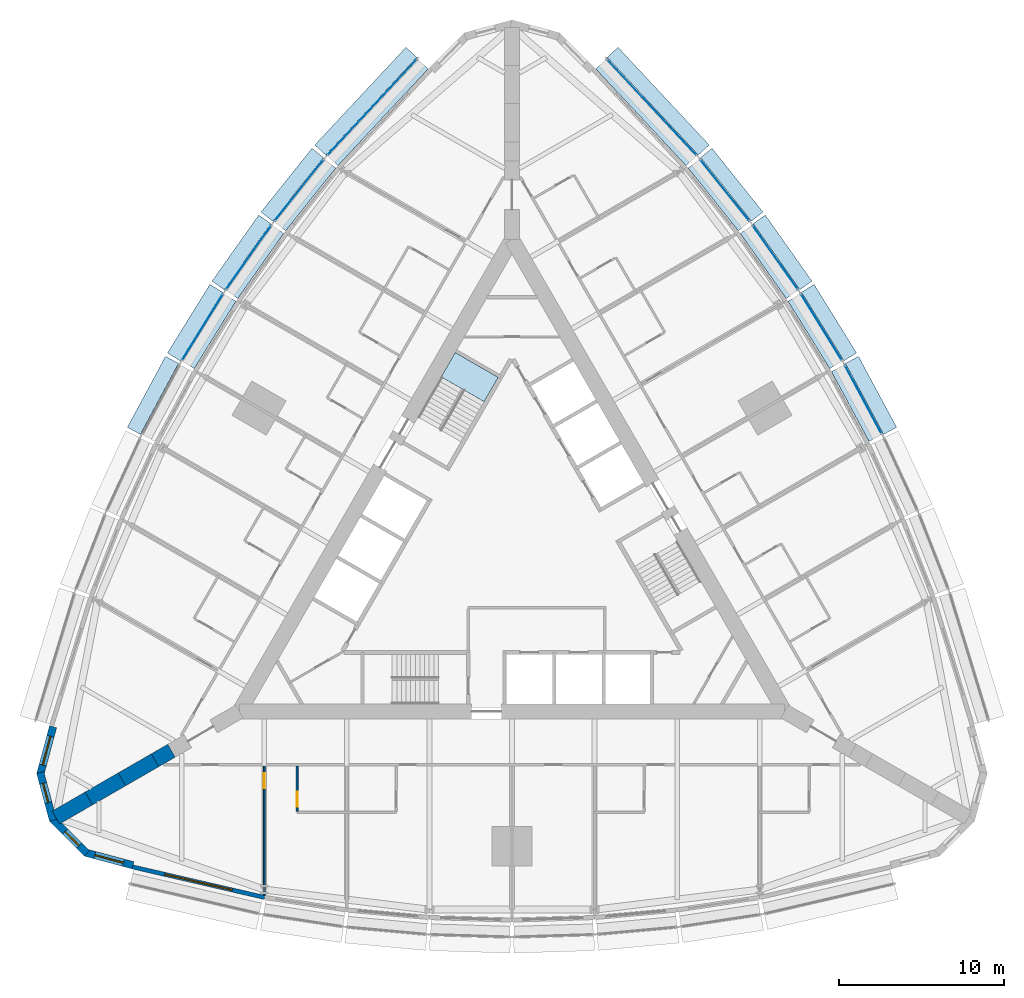
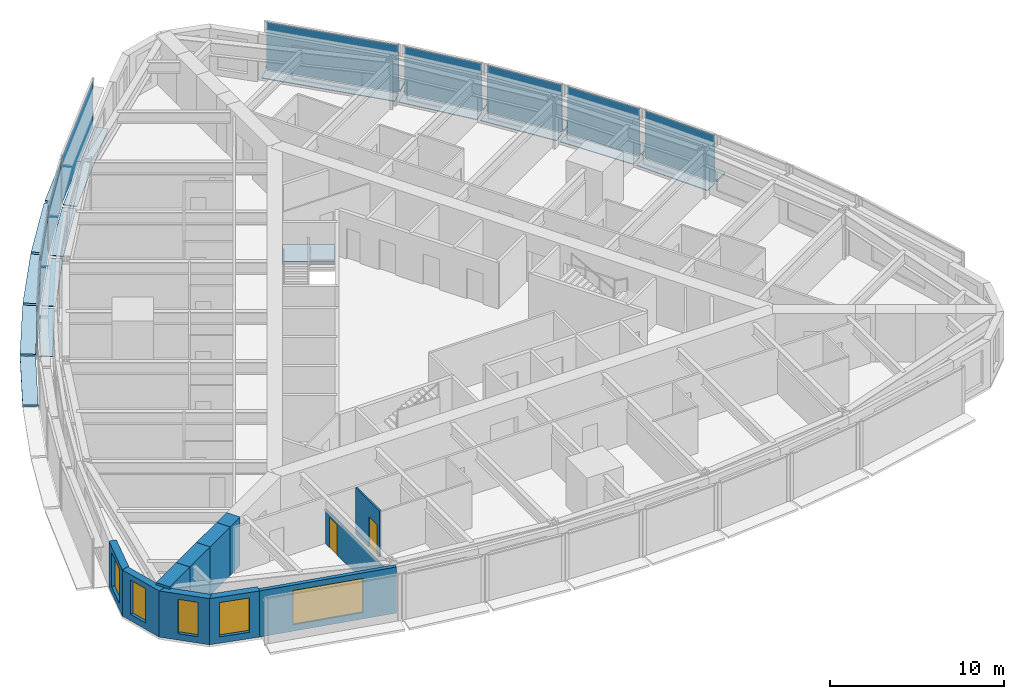
# One storey, part 7 of 14: 28 plates, 11 walls, 5 windows, 2 doors, 1 slab, 7 openings, 10 elements without a shape of their own.
"""IFC4 building model written with IfcOpenShell, lengths in metres."""

from ifc_helpers import new_model, si_unit, direction, frame, frame_2d, origin, origin_2d, place, context, subcontext, project, spatial, polyline, rectangle, outline, extrude, material, layer, layer_set, type_object, element, fill, aggregate, save


model = new_model("IFC4")

# Units and contexts
model_context = context("Model", 3, precision=1e-05, world=origin(), true_north=direction((0.0, 1.0)))
body_context = subcontext(model_context, "Body", "Model", "MODEL_VIEW")
ifc_project = project(units=[si_unit("LENGTHUNIT", "METRE"), si_unit("AREAUNIT", "SQUARE_METRE"), si_unit("VOLUMEUNIT", "CUBIC_METRE"), si_unit("PLANEANGLEUNIT", "RADIAN"), si_unit("MASSUNIT", "GRAM", prefix="KILO")], contexts=[model_context])

# Site, building, storey
site_placement = place(None, origin())
site = spatial("IfcSite", under=ifc_project, at=site_placement, CompositionType="ELEMENT")
building_placement = place(site_placement, origin())
building = spatial("IfcBuilding", under=site, at=building_placement, Name="Trikona Tower", CompositionType="ELEMENT")
storey_placement = place(building_placement, frame((0.0, 0.0, 55.699951171875)))
storey = spatial("IfcBuildingStorey", under=building, at=storey_placement, Name="L13", CompositionType="ELEMENT", Elevation=55.699951171875)

# Plates
ifc_material_1 = material(Name="Aluminium bar grating", Category="aluminium")
ifc_layer_1 = layer(ifc_material_1, 0.050048828125)
ifc_layer_set_1 = layer_set([ifc_layer_1], Name="Cavity catwalk grating")
plate_type_1 = type_object("IfcPlateType", Name="Cavity catwalk grating", PredefinedType="USERDEFINED", material=ifc_layer_set_1)
for number, where, z_axis, x_axis, name in (
    (1, (20.833740234375, 9.127197265625, -0.0498046875), (0.0, 0.0, 1.0), (-0.473422672721, 0.880835383572, 0.0), "Cavity catwalk L13-15"),
    (2, (18.3212890625, 13.47900390625, -0.0498046875), (0.0, 0.0, 1.0), (-0.526118935114, 0.85041099835, 0.0), "Cavity catwalk L13-16"),
):
    element("IfcPlate", number, at=place(storey_placement, frame(where, z_axis=z_axis, x_axis=x_axis)), inside=storey, type_object=plate_type_1, Name=name, ObjectType="CATWALK GRATING", PredefinedType="USERDEFINED", context=body_context, shape_type="SweptSolid", body=[
        extrude(rectangle(XDim=4.80224609375, YDim=0.820068359375, at=origin_2d()), origin(), (0.0, 0.0, 1.0), 0.050048828125),
    ])
plate_1_placement = place(storey_placement, frame((15.544189453125, 17.677734375, -0.0498046875), z_axis=(0.0, 0.0, 1.0), x_axis=(-0.576661909499, 0.816982889743, 0.0)))
element("IfcPlate", 3, at=plate_1_placement, inside=storey, type_object=plate_type_1, Name="Cavity catwalk L13-17", ObjectType="CATWALK GRATING", PredefinedType="USERDEFINED", context=body_context, shape_type="SweptSolid", body=[
    extrude(rectangle(XDim=4.82080078125, YDim=0.820068359375, at=origin_2d()), origin(), (0.0, 0.0, 1.0), 0.050048828125),
])
plate_2_placement = place(storey_placement, frame((12.502197265625, 21.72314453125, -0.0498046875), z_axis=(0.0, 0.0, 1.0), x_axis=(-0.624603618277, 0.780941944087, 0.0)))
element("IfcPlate", 4, at=plate_2_placement, inside=storey, type_object=plate_type_1, Name="Cavity catwalk L13-18", ObjectType="CATWALK GRATING", PredefinedType="USERDEFINED", context=body_context, shape_type="SweptSolid", body=[
    extrude(rectangle(XDim=4.857666015625, YDim=0.820068359375, at=origin_2d()), origin(), (0.0, 0.0, 1.0), 0.050048828125),
])
for number, where, z_axis, x_axis, name in (
    (5, (8.10107421875, 26.72314453125, -0.0498046875), (0.0, 0.0, 1.0), (-0.682298269147, 0.731073916864, 0.0), "Cavity catwalk L13-19"),
    (6, (-8.10107421875, 26.72314453125, -0.0498046875), (0.0, 0.0, 1.0), (-0.682298269147, -0.731073916864, 0.0), "Cavity catwalk L13-24"),
):
    element("IfcPlate", number, at=place(storey_placement, frame(where, z_axis=z_axis, x_axis=x_axis)), inside=storey, type_object=plate_type_1, Name=name, ObjectType="CATWALK GRATING", PredefinedType="USERDEFINED", context=body_context, shape_type="SweptSolid", body=[
        extrude(rectangle(XDim=8.01123046875, YDim=0.820068359375, at=origin_2d()), origin(), (0.0, 0.0, 1.0), 0.050048828125),
    ])
plate_3_placement = place(storey_placement, frame((-12.502197265625, 21.72314453125, -0.0498046875), z_axis=(0.0, 0.0, 1.0), x_axis=(-0.624603618277, -0.780941944087, 0.0)))
element("IfcPlate", 7, at=plate_3_placement, inside=storey, type_object=plate_type_1, Name="Cavity catwalk L13-25", ObjectType="CATWALK GRATING", PredefinedType="USERDEFINED", context=body_context, shape_type="SweptSolid", body=[
    extrude(rectangle(XDim=4.857666015625, YDim=0.820068359375, at=origin_2d()), origin(), (0.0, 0.0, 1.0), 0.050048828125),
])
plate_4_placement = place(storey_placement, frame((-15.544189453125, 17.677734375, -0.0498046875), z_axis=(0.0, 0.0, 1.0), x_axis=(-0.576661909499, -0.816982889743, 0.0)))
element("IfcPlate", 8, at=plate_4_placement, inside=storey, type_object=plate_type_1, Name="Cavity catwalk L13-26", ObjectType="CATWALK GRATING", PredefinedType="USERDEFINED", context=body_context, shape_type="SweptSolid", body=[
    extrude(rectangle(XDim=4.82080078125, YDim=0.820068359375, at=origin_2d()), origin(), (0.0, 0.0, 1.0), 0.050048828125),
])
plate_5_placement = place(storey_placement, frame((-18.3212890625, 13.47900390625, -0.0498046875), z_axis=(0.0, 0.0, 1.0), x_axis=(-0.526118935114, -0.85041099835, 0.0)))
element("IfcPlate", 9, at=plate_5_placement, inside=storey, type_object=plate_type_1, Name="Cavity catwalk L13-27", ObjectType="CATWALK GRATING", PredefinedType="USERDEFINED", context=body_context, shape_type="SweptSolid", body=[
    extrude(rectangle(XDim=4.80224609375, YDim=0.820068359375, at=origin_2d()), origin(), (0.0, 0.0, 1.0), 0.050048828125),
])

# Curtain wall, plate
ifc_material_2 = material(Name="Aluminium curtain wall system", Category="aluminium")
curtain_wall_type = type_object("IfcCurtainWallType", Name="Curtain wall DS1", PredefinedType="NOTDEFINED", material=ifc_material_2)
curtain_wall_1_placement = place(storey_placement, origin())
curtain_wall_1 = element("IfcCurtainWall", 10, at=curtain_wall_1_placement, inside=storey, type_object=curtain_wall_type, Name="Curtain wall DS1 L13", PredefinedType="NOTDEFINED")
ifc_material_3 = material(Name="Laminated clear glass", Category="glass")
ifc_layer_2 = layer(ifc_material_3, 0.028076171875)
ifc_layer_set_2 = layer_set([ifc_layer_2], Name="Glass panel DS1")
plate_type_2 = type_object("IfcPlateType", Name="Glass panel DS1", PredefinedType="CURTAIN_PANEL", material=ifc_layer_set_2)
plate_6_placement = place(storey_placement, frame((21.265380859375, 9.359130859375, 0.0), z_axis=(0.0, 0.0, 1.0), x_axis=(-0.473408350896, 0.880843080975, 0.0)))
plate_6 = element("IfcPlate", 11, at=plate_6_placement, type_object=plate_type_2, Name="CW-DS1 panel 1.1", PredefinedType="CURTAIN_PANEL", context=body_context, shape_type="SweptSolid", body=[
    extrude(rectangle(XDim=4.72216796875, YDim=0.028076171875, at=origin_2d()), origin(), (0.0, 0.0, 1.0), 3.320068359375),
])
aggregate(curtain_wall_1, [plate_6])

curtain_wall_2_placement = place(storey_placement, origin())
curtain_wall_2 = element("IfcCurtainWall", 12, at=curtain_wall_2_placement, inside=storey, type_object=curtain_wall_type, Name="Curtain wall DS1 L13", PredefinedType="NOTDEFINED")
plate_7_placement = place(storey_placement, frame((18.738037109375, 13.73681640625, 0.0), z_axis=(0.0, 0.0, 1.0), x_axis=(-0.526119790842, 0.850410468941, 0.0)))
plate_7 = element("IfcPlate", 13, at=plate_7_placement, type_object=plate_type_2, Name="CW-DS1 panel 1.1", PredefinedType="CURTAIN_PANEL", context=body_context, shape_type="SweptSolid", body=[
    extrude(rectangle(XDim=4.722412109375, YDim=0.028076171875, at=origin_2d()), origin(), (0.0, 0.0, 1.0), 3.320068359375),
])
aggregate(curtain_wall_2, [plate_7])

curtain_wall_3_placement = place(storey_placement, origin())
curtain_wall_3 = element("IfcCurtainWall", 14, at=curtain_wall_3_placement, inside=storey, type_object=curtain_wall_type, Name="Curtain wall DS1 L13", PredefinedType="NOTDEFINED")
plate_8_placement = place(storey_placement, frame((15.9443359375, 17.960205078125, 0.0), z_axis=(0.0, 0.0, 1.0), x_axis=(-0.576658362928, 0.816985393055, 0.0)))
plate_8 = element("IfcPlate", 15, at=plate_8_placement, type_object=plate_type_2, Name="CW-DS1 panel 1.1", PredefinedType="CURTAIN_PANEL", context=body_context, shape_type="SweptSolid", body=[
    extrude(rectangle(XDim=4.74072265625, YDim=0.028076171875, at=origin_2d()), origin(), (0.0, 0.0, 1.0), 3.320068359375),
])
aggregate(curtain_wall_3, [plate_8])

curtain_wall_4_placement = place(storey_placement, origin())
curtain_wall_4 = element("IfcCurtainWall", 16, at=curtain_wall_4_placement, inside=storey, type_object=curtain_wall_type, Name="Curtain wall DS1 L13", PredefinedType="NOTDEFINED")
plate_9_placement = place(storey_placement, frame((12.884765625, 22.029296875, 0.0), z_axis=(0.0, 0.0, 1.0), x_axis=(-0.624608599951, 0.780937959679, 0.0)))
plate_9 = element("IfcPlate", 17, at=plate_9_placement, type_object=plate_type_2, Name="CW-DS1 panel 1.1", PredefinedType="CURTAIN_PANEL", context=body_context, shape_type="SweptSolid", body=[
    extrude(rectangle(XDim=4.777587890625, YDim=0.028076171875, at=origin_2d()), origin(), (0.0, 0.0, 1.0), 3.320068359375),
])
aggregate(curtain_wall_4, [plate_9])

curtain_wall_5_placement = place(storey_placement, origin())
curtain_wall_5 = element("IfcCurtainWall", 18, at=curtain_wall_5_placement, inside=storey, type_object=curtain_wall_type, Name="Curtain wall DS1 L13", PredefinedType="NOTDEFINED")
plate_10_placement = place(storey_placement, frame((8.459228515625, 27.057373046875, 0.0), z_axis=(0.0, 0.0, 1.0), x_axis=(-0.682295351967, 0.731076639405, 0.0)))
plate_10 = element("IfcPlate", 19, at=plate_10_placement, type_object=plate_type_2, Name="CW-DS1 panel 1.1", PredefinedType="CURTAIN_PANEL", context=body_context, shape_type="SweptSolid", body=[
    extrude(rectangle(XDim=7.93115234375, YDim=0.028076171875, at=origin_2d()), origin(), (0.0, 0.0, 1.0), 3.320068359375),
])
aggregate(curtain_wall_5, [plate_10])

curtain_wall_6_placement = place(storey_placement, origin())
curtain_wall_6 = element("IfcCurtainWall", 20, at=curtain_wall_6_placement, inside=storey, type_object=curtain_wall_type, Name="Curtain wall DS1 L13", PredefinedType="NOTDEFINED")
plate_11_placement = place(storey_placement, frame((-8.459228515625, 27.057373046875, 0.0), z_axis=(0.0, 0.0, 1.0), x_axis=(-0.682295351967, -0.731076639405, 0.0)))
plate_11 = element("IfcPlate", 21, at=plate_11_placement, type_object=plate_type_2, Name="CW-DS1 panel 1.1", PredefinedType="CURTAIN_PANEL", context=body_context, shape_type="SweptSolid", body=[
    extrude(rectangle(XDim=7.93115234375, YDim=0.028076171875, at=origin_2d()), origin(), (0.0, 0.0, 1.0), 3.320068359375),
])
aggregate(curtain_wall_6, [plate_11])

curtain_wall_7_placement = place(storey_placement, origin())
curtain_wall_7 = element("IfcCurtainWall", 22, at=curtain_wall_7_placement, inside=storey, type_object=curtain_wall_type, Name="Curtain wall DS1 L13", PredefinedType="NOTDEFINED")
plate_12_placement = place(storey_placement, frame((-12.884765625, 22.029296875, 0.0), z_axis=(0.0, 0.0, 1.0), x_axis=(-0.624608599951, -0.780937959679, 0.0)))
plate_12 = element("IfcPlate", 23, at=plate_12_placement, type_object=plate_type_2, Name="CW-DS1 panel 1.1", PredefinedType="CURTAIN_PANEL", context=body_context, shape_type="SweptSolid", body=[
    extrude(rectangle(XDim=4.777587890625, YDim=0.028076171875, at=origin_2d()), origin(), (0.0, 0.0, 1.0), 3.320068359375),
])
aggregate(curtain_wall_7, [plate_12])

curtain_wall_8_placement = place(storey_placement, origin())
curtain_wall_8 = element("IfcCurtainWall", 24, at=curtain_wall_8_placement, inside=storey, type_object=curtain_wall_type, Name="Curtain wall DS1 L13", PredefinedType="NOTDEFINED")
plate_13_placement = place(storey_placement, frame((-15.9443359375, 17.960205078125, 0.0), z_axis=(0.0, 0.0, 1.0), x_axis=(-0.576658362928, -0.816985393055, 0.0)))
plate_13 = element("IfcPlate", 25, at=plate_13_placement, type_object=plate_type_2, Name="CW-DS1 panel 1.1", PredefinedType="CURTAIN_PANEL", context=body_context, shape_type="SweptSolid", body=[
    extrude(rectangle(XDim=4.74072265625, YDim=0.028076171875, at=origin_2d()), origin(), (0.0, 0.0, 1.0), 3.320068359375),
])
aggregate(curtain_wall_8, [plate_13])

curtain_wall_9_placement = place(storey_placement, origin())
curtain_wall_9 = element("IfcCurtainWall", 26, at=curtain_wall_9_placement, inside=storey, type_object=curtain_wall_type, Name="Curtain wall DS1 L13", PredefinedType="NOTDEFINED")
plate_14_placement = place(storey_placement, frame((-18.738037109375, 13.73681640625, 0.0), z_axis=(0.0, 0.0, 1.0), x_axis=(-0.526119790842, -0.850410468941, 0.0)))
plate_14 = element("IfcPlate", 27, at=plate_14_placement, type_object=plate_type_2, Name="CW-DS1 panel 1.1", PredefinedType="CURTAIN_PANEL", context=body_context, shape_type="SweptSolid", body=[
    extrude(rectangle(XDim=4.722412109375, YDim=0.028076171875, at=origin_2d()), origin(), (0.0, 0.0, 1.0), 3.320068359375),
])
aggregate(curtain_wall_9, [plate_14])

# Plates
ifc_material_4 = material(Name="Aluminium plate fin, pale anodised, on stainless steel outriggers", Category="steel")
ifc_layer_3 = layer(ifc_material_4, 0.14990234375)
ifc_layer_set_3 = layer_set([ifc_layer_3], Name="Outer skin fin 900")
plate_type_3 = type_object("IfcPlateType", Name="Outer skin fin 900", PredefinedType="USERDEFINED", material=ifc_layer_set_3)
for number, where, z_axis, x_axis, name in (
    (28, (21.732421875, 9.610107421875, 0.0), (0.0, 0.0, 1.0), (-0.473422672721, 0.880835383572, 0.0), "Outer skin fin L13-15"),
    (29, (19.188720703125, 14.015625, 0.0), (0.0, 0.0, 1.0), (-0.526118935114, 0.85041099835, 0.0), "Outer skin fin L13-16"),
):
    element("IfcPlate", number, at=place(storey_placement, frame(where, z_axis=z_axis, x_axis=x_axis)), inside=storey, type_object=plate_type_3, Name=name, ObjectType="FIN", PredefinedType="USERDEFINED", context=body_context, shape_type="SweptSolid", body=[
        extrude(rectangle(XDim=4.88232421875, YDim=0.89990234375, at=origin_2d()), origin(), (0.0, 0.0, 1.0), 0.14990234375),
    ])
plate_15_placement = place(storey_placement, frame((16.37744140625, 18.265869140625, 0.0), z_axis=(0.0, 0.0, 1.0), x_axis=(-0.576661909499, 0.816982889743, 0.0)))
element("IfcPlate", 30, at=plate_15_placement, inside=storey, type_object=plate_type_3, Name="Outer skin fin L13-17", ObjectType="FIN", PredefinedType="USERDEFINED", context=body_context, shape_type="SweptSolid", body=[
    extrude(rectangle(XDim=4.90087890625, YDim=0.89990234375, at=origin_2d()), origin(), (0.0, 0.0, 1.0), 0.14990234375),
])
plate_16_placement = place(storey_placement, frame((13.298583984375, 22.360107421875, 0.0), z_axis=(0.0, 0.0, 1.0), x_axis=(-0.624603618277, 0.780941944087, 0.0)))
element("IfcPlate", 31, at=plate_16_placement, inside=storey, type_object=plate_type_3, Name="Outer skin fin L13-18", ObjectType="FIN", PredefinedType="USERDEFINED", context=body_context, shape_type="SweptSolid", body=[
    extrude(rectangle(XDim=4.9375, YDim=0.89990234375, at=origin_2d()), origin(), (0.0, 0.0, 1.0), 0.14990234375),
])
for number, where, z_axis, x_axis, name in (
    (32, (8.8466796875, 27.419189453125, 0.0), (0.0, 0.0, 1.0), (-0.682298269147, 0.731073916864, 0.0), "Outer skin fin L13-19"),
    (33, (-8.8466796875, 27.419189453125, 0.0), (0.0, 0.0, 1.0), (-0.682298269147, -0.731073916864, 0.0), "Outer skin fin L13-24"),
):
    element("IfcPlate", number, at=place(storey_placement, frame(where, z_axis=z_axis, x_axis=x_axis)), inside=storey, type_object=plate_type_3, Name=name, ObjectType="FIN", PredefinedType="USERDEFINED", context=body_context, shape_type="SweptSolid", body=[
        extrude(rectangle(XDim=8.09130859375, YDim=0.89990234375, at=origin_2d()), origin(), (0.0, 0.0, 1.0), 0.14990234375),
    ])
plate_17_placement = place(storey_placement, frame((-13.298583984375, 22.360107421875, 0.0), z_axis=(0.0, 0.0, 1.0), x_axis=(-0.624603618277, -0.780941944087, 0.0)))
element("IfcPlate", 34, at=plate_17_placement, inside=storey, type_object=plate_type_3, Name="Outer skin fin L13-25", ObjectType="FIN", PredefinedType="USERDEFINED", context=body_context, shape_type="SweptSolid", body=[
    extrude(rectangle(XDim=4.9375, YDim=0.89990234375, at=origin_2d()), origin(), (0.0, 0.0, 1.0), 0.14990234375),
])
plate_18_placement = place(storey_placement, frame((-16.37744140625, 18.265869140625, 0.0), z_axis=(0.0, 0.0, 1.0), x_axis=(-0.576661909499, -0.816982889743, 0.0)))
element("IfcPlate", 35, at=plate_18_placement, inside=storey, type_object=plate_type_3, Name="Outer skin fin L13-26", ObjectType="FIN", PredefinedType="USERDEFINED", context=body_context, shape_type="SweptSolid", body=[
    extrude(rectangle(XDim=4.90087890625, YDim=0.89990234375, at=origin_2d()), origin(), (0.0, 0.0, 1.0), 0.14990234375),
])
for number, where, z_axis, x_axis, name in (
    (36, (-19.188720703125, 14.015625, 0.0), (0.0, 0.0, 1.0), (-0.526118935114, -0.85041099835, 0.0), "Outer skin fin L13-27"),
    (37, (-21.732421875, 9.610107421875, 0.0), (0.0, 0.0, 1.0), (-0.473422672721, -0.880835383572, 0.0), "Outer skin fin L13-28"),
):
    element("IfcPlate", number, at=place(storey_placement, frame(where, z_axis=z_axis, x_axis=x_axis)), inside=storey, type_object=plate_type_3, Name=name, ObjectType="FIN", PredefinedType="USERDEFINED", context=body_context, shape_type="SweptSolid", body=[
        extrude(rectangle(XDim=4.88232421875, YDim=0.89990234375, at=origin_2d()), origin(), (0.0, 0.0, 1.0), 0.14990234375),
    ])

# Stair, slab
ifc_material_5 = material(Name="Concrete f'c 5000 psi", Category="concrete")
stair_type = type_object("IfcStairType", Name="Core stair", PredefinedType="HALF_TURN_STAIR", material=ifc_material_5)
stair_placement = place(storey_placement, origin())
stair = element("IfcStair", 38, at=stair_placement, inside=storey, type_object=stair_type, Name="Stair C L13", PredefinedType="HALF_TURN_STAIR")
ifc_material_6 = material(Name="Concrete f'c 5000 psi", Category="concrete")
ifc_layer_4 = layer(ifc_material_6, 0.199951171875)
ifc_layer_set_4 = layer_set([ifc_layer_4], Name="Stair landing 200")
slab_type = type_object("IfcSlabType", Name="Stair landing 200", PredefinedType="LANDING", material=ifc_layer_set_4)
slab_placement = place(storey_placement, frame((0.0, 0.0, 1.5)))
slab = element("IfcSlab", 39, at=slab_placement, type_object=slab_type, Name="ST-C landing 2", PredefinedType="LANDING", context=body_context, shape_type="SweptSolid", body=[
    extrude(outline(polyline([(-0.837158203125, 10.702392578125), (-1.688720703125, 9.2275390625), (-4.286865234375, 10.7275390625), (-3.435302734375, 12.202392578125), (-0.837158203125, 10.702392578125)])), origin(), (0.0, 0.0, 1.0), 0.199951171875),
])
aggregate(stair, [slab])

# Wall, opening, door
ifc_material_7 = material(Name="Metal stud and cement board", Category="gypsum")
ifc_layer_5 = layer(ifc_material_7, 0.1201171875)
ifc_layer_set_5 = layer_set([ifc_layer_5], Name="Bathroom wall 120")
wall_type_1 = type_object("IfcWallType", Name="Bathroom wall 120", PredefinedType="PLUMBINGWALL", material=ifc_layer_set_5)
wall_1_placement = place(storey_placement, frame((-13.0, -12.826416015625, 0.0), z_axis=(0.0, 0.0, 1.0), x_axis=(0.0, -1.0, 0.0)))
wall_1 = element("IfcWall", 40, at=wall_1_placement, inside=storey, type_object=wall_type_1, Name="Bathroom wall 1301.1", PredefinedType="PLUMBINGWALL", context=body_context, shape_type="SweptSolid", body=[
    extrude(rectangle(XDim=2.739990234375, YDim=0.1201171875, at=frame_2d((1.3701171875, 0.0))), origin(), (0.0, 0.0, 1.0), 3.235107421875),
])
opening_1_placement = place(wall_1_placement, frame((1.550048828125, 0.0, 0.0)))
opening_1 = element("IfcOpeningElement", 41, at=opening_1_placement, cuts=wall_1, Name="Opening D2", PredefinedType="OPENING", context=body_context, shape_type="SweptSolid", body=[
    extrude(rectangle(XDim=0.89990234375, YDim=2.1298828125, at=frame_2d((0.449951171875, 1.06494140625))), frame((0.0, 0.070068359375, 0.0), z_axis=(0.0, -1.0, 0.0), x_axis=(1.0, 0.0, 0.0)), (0.0, 0.0, 1.0), 0.14013671875),
])
ifc_material_8 = material(Name="Steel door frame with solid-core timber leaf", Category="steel")
door_type_1 = type_object("IfcDoorType", Name="Bathroom door 900x2130", OperationType="SLIDING_TO_LEFT", PredefinedType="DOOR", material=ifc_material_8)
door_1_placement = place(opening_1_placement, origin())
door_1 = element("IfcDoor", 42, at=door_1_placement, inside=storey, type_object=door_type_1, Name="Bathroom door 1301.1", OperationType="SLIDING_TO_LEFT", OverallHeight=2.1298828125, OverallWidth=0.89990234375, PredefinedType="DOOR", context=body_context, shape_type="SweptSolid", body=[
    extrude(rectangle(XDim=0.89990234375, YDim=2.1298828125, at=frame_2d((0.449951171875, 1.06494140625))), frame((0.0, 0.02490234375, 0.0), z_axis=(0.0, -1.0, 0.0), x_axis=(1.0, 0.0, 0.0)), (0.0, 0.0, 1.0), 0.050048828125),
])
fill(opening_1, door_1)

# Wall, opening, window
ifc_material_9 = material(Name="Brick-faced precast concrete", Category="masonry")
ifc_layer_6 = layer(ifc_material_9, 0.449951171875)
ifc_layer_set_6 = layer_set([ifc_layer_6], Name="Brick-faced corner wall 450")
wall_type_2 = type_object("IfcWallType", Name="Brick-faced corner wall 450", PredefinedType="SOLIDWALL", material=ifc_layer_set_6)
wall_2_placement = place(storey_placement, frame((-27.78271484375, -10.450439453125, 0.0), z_axis=(0.0, 0.0, 1.0), x_axis=(-0.258780998834, -0.965936019953, 0.0)))
wall_2 = element("IfcWall", 43, at=wall_2_placement, inside=storey, type_object=wall_type_2, Name="External wall L13-32", PredefinedType="SOLIDWALL", context=body_context, shape_type="SweptSolid", body=[
    extrude(rectangle(XDim=2.98876953125, YDim=0.449951171875, at=frame_2d((1.494384765625, 0.0))), origin(), (0.0, 0.0, 1.0), 3.235107421875),
])
opening_2_placement = place(wall_2_placement, frame((0.59423828125, 0.0, 0.449951171875)))
opening_2 = element("IfcOpeningElement", 44, at=opening_2_placement, cuts=wall_2, Name="Opening W1824", PredefinedType="OPENING", context=body_context, shape_type="SweptSolid", body=[
    extrude(rectangle(XDim=1.800048828125, YDim=2.39990234375, at=frame_2d((0.89990234375, 1.199951171875))), frame((0.0, 0.23486328125, 0.0), z_axis=(0.0, -1.0, 0.0), x_axis=(1.0, 0.0, 0.0)), (0.0, 0.0, 1.0), 0.469970703125),
])
ifc_material_10 = material(Name="Aluminium-framed double glazing", Category="aluminium")
window_type_1 = type_object("IfcWindowType", Name="Window 1800x2400", PartitioningType="SINGLE_PANEL", PredefinedType="WINDOW", material=ifc_material_10)
window_1_placement = place(opening_2_placement, origin())
window_1 = element("IfcWindow", 45, at=window_1_placement, inside=storey, type_object=window_type_1, Name="Window 1316", OverallHeight=2.39990234375, OverallWidth=1.800048828125, PartitioningType="SINGLE_PANEL", PredefinedType="WINDOW", context=body_context, shape_type="SweptSolid", body=[
    extrude(rectangle(XDim=1.800048828125, YDim=2.39990234375, at=frame_2d((0.89990234375, 1.199951171875))), frame((0.0, 0.030029296875, 0.0), z_axis=(0.0, -1.0, 0.0), x_axis=(1.0, 0.0, 0.0)), (0.0, 0.0, 1.0), 0.06005859375),
])
fill(opening_2, window_1)

wall_3_placement = place(storey_placement, frame((-28.55615234375, -13.220947265625, 0.0), z_axis=(0.0, 0.0, 1.0), x_axis=(0.258801419081, -0.965930548995, 0.0)))
wall_3 = element("IfcWall", 46, at=wall_3_placement, inside=storey, type_object=wall_type_2, Name="External wall L13-33", PredefinedType="SOLIDWALL", context=body_context, shape_type="SweptSolid", body=[
    extrude(outline(polyline([(2.988525390625, 0.22509765625), (2.928955078125, 0.22509765625), (2.437255859375, 0.09326171875), (2.402099609375, 0.22509765625), (0.0, 0.22509765625), (0.0, -0.22509765625), (2.988525390625, -0.22509765625), (2.988525390625, 0.22509765625)])), origin(), (0.0, 0.0, 1.0), 3.235107421875),
])
opening_3_placement = place(wall_3_placement, frame((0.676025390625, 0.0, 0.449951171875)))
opening_3 = element("IfcOpeningElement", 47, at=opening_3_placement, cuts=wall_3, Name="Opening W1224", PredefinedType="OPENING", context=body_context, shape_type="SweptSolid", body=[
    extrude(rectangle(XDim=1.199951171875, YDim=2.39990234375, at=frame_2d((0.60009765625, 1.199951171875))), frame((0.0, 0.23486328125, 0.0), z_axis=(0.0, -1.0, 0.0), x_axis=(1.0, 0.0, 0.0)), (0.0, 0.0, 1.0), 0.469970703125),
])
ifc_material_11 = material(Name="Aluminium-framed double glazing", Category="aluminium")
window_type_2 = type_object("IfcWindowType", Name="Window 1200x2400", PartitioningType="SINGLE_PANEL", PredefinedType="WINDOW", material=ifc_material_11)
window_2_placement = place(opening_3_placement, origin())
window_2 = element("IfcWindow", 48, at=window_2_placement, inside=storey, type_object=window_type_2, Name="Window 1316", OverallHeight=2.39990234375, OverallWidth=1.199951171875, PartitioningType="SINGLE_PANEL", PredefinedType="WINDOW", context=body_context, shape_type="SweptSolid", body=[
    extrude(rectangle(XDim=1.199951171875, YDim=2.39990234375, at=frame_2d((0.60009765625, 1.199951171875))), frame((0.0, 0.030029296875, 0.0), z_axis=(0.0, -1.0, 0.0), x_axis=(1.0, 0.0, 0.0)), (0.0, 0.0, 1.0), 0.06005859375),
])
fill(opening_3, window_2)

wall_4_placement = place(storey_placement, frame((-27.8408203125, -16.006591796875, 0.0), z_axis=(0.0, 0.0, 1.0), x_axis=(0.707025086683, -0.707188466253, 0.0)))
wall_4 = element("IfcWall", 49, at=wall_4_placement, inside=storey, type_object=wall_type_2, Name="External wall L13-34", PredefinedType="SOLIDWALL", context=body_context, shape_type="SweptSolid", body=[
    extrude(outline(polyline([(2.988525390625, 0.22509765625), (0.58642578125, 0.22509765625), (0.551025390625, 0.093017578125), (0.058837890625, 0.22509765625), (0.0, 0.22509765625), (0.0, -0.22509765625), (2.988525390625, -0.22509765625), (2.988525390625, 0.22509765625)])), origin(), (0.0, 0.0, 1.0), 3.235107421875),
])
opening_4_placement = place(wall_4_placement, frame((1.112548828125, 0.0, 0.449951171875)))
opening_4 = element("IfcOpeningElement", 50, at=opening_4_placement, cuts=wall_4, Name="Opening W1224", PredefinedType="OPENING", context=body_context, shape_type="SweptSolid", body=[
    extrude(rectangle(XDim=1.199951171875, YDim=2.39990234375, at=frame_2d((0.60009765625, 1.199951171875))), frame((0.0, 0.23486328125, 0.0), z_axis=(0.0, -1.0, 0.0), x_axis=(1.0, 0.0, 0.0)), (0.0, 0.0, 1.0), 0.469970703125),
])
window_3_placement = place(opening_4_placement, origin())
window_3 = element("IfcWindow", 51, at=window_3_placement, inside=storey, type_object=window_type_2, Name="Window 1301", OverallHeight=2.39990234375, OverallWidth=1.199951171875, PartitioningType="SINGLE_PANEL", PredefinedType="WINDOW", context=body_context, shape_type="SweptSolid", body=[
    extrude(rectangle(XDim=1.199951171875, YDim=2.39990234375, at=frame_2d((0.60009765625, 1.199951171875))), frame((0.0, 0.030029296875, 0.0), z_axis=(0.0, -1.0, 0.0), x_axis=(1.0, 0.0, 0.0)), (0.0, 0.0, 1.0), 0.06005859375),
])
fill(opening_4, window_3)

wall_5_placement = place(storey_placement, frame((-25.82861328125, -18.061767578125, 0.0), z_axis=(0.0, 0.0, 1.0), x_axis=(0.965930548995, -0.258801419081, 0.0)))
wall_5 = element("IfcWall", 52, at=wall_5_placement, inside=storey, type_object=wall_type_2, Name="External wall L13-35", PredefinedType="SOLIDWALL", context=body_context, shape_type="SweptSolid", body=[
    extrude(rectangle(XDim=2.988525390625, YDim=0.449951171875, at=frame_2d((1.494140625, 0.0))), origin(), (0.0, 0.0, 1.0), 3.235107421875),
])
opening_5_placement = place(wall_5_placement, frame((0.59423828125, 0.0, 0.449951171875)))
opening_5 = element("IfcOpeningElement", 53, at=opening_5_placement, cuts=wall_5, Name="Opening W1824", PredefinedType="OPENING", context=body_context, shape_type="SweptSolid", body=[
    extrude(rectangle(XDim=1.800048828125, YDim=2.39990234375, at=frame_2d((0.89990234375, 1.199951171875))), frame((0.0, 0.23486328125, 0.0), z_axis=(0.0, -1.0, 0.0), x_axis=(1.0, 0.0, 0.0)), (0.0, 0.0, 1.0), 0.469970703125),
])
window_4_placement = place(opening_5_placement, origin())
window_4 = element("IfcWindow", 54, at=window_4_placement, inside=storey, type_object=window_type_1, Name="Window 1301", OverallHeight=2.39990234375, OverallWidth=1.800048828125, PartitioningType="SINGLE_PANEL", PredefinedType="WINDOW", context=body_context, shape_type="SweptSolid", body=[
    extrude(rectangle(XDim=1.800048828125, YDim=2.39990234375, at=frame_2d((0.89990234375, 1.199951171875))), frame((0.0, 0.030029296875, 0.0), z_axis=(0.0, -1.0, 0.0), x_axis=(1.0, 0.0, 0.0)), (0.0, 0.0, 1.0), 0.06005859375),
])
fill(opening_5, window_4)

# Walls
ifc_material_12 = material(Name="Concrete f'c 10000 psi", Category="concrete")
ifc_layer_7 = layer(ifc_material_12, 0.89990234375)
ifc_layer_set_7 = layer_set([ifc_layer_7], Name="Buttress wall 900")
wall_type_3 = type_object("IfcWallType", Name="Buttress wall 900", PredefinedType="SHEAR", material=ifc_layer_set_7)
wall_6_placement = place(storey_placement, frame((-20.6103515625, -11.8994140625, 0.0), z_axis=(0.0, 0.0, 1.0), x_axis=(-0.866009537788, -0.500027479704, 0.0)))
element("IfcWall", 55, at=wall_6_placement, inside=storey, type_object=wall_type_3, Name="Buttress wall 3 part 2", PredefinedType="SHEAR", context=body_context, shape_type="SweptSolid", body=[
    extrude(rectangle(XDim=1.15478515625, YDim=0.89990234375, at=frame_2d((0.577392578125, 0.0))), origin(), (0.0, 0.0, 1.0), 3.400146484375),
])
for number, where, z_axis, x_axis, name in (
    (56, (-21.6103515625, -12.476806640625, 0.0), (0.0, 0.0, 1.0), (-0.866055313784, -0.499948190782, 0.0), "Buttress wall 3 part 3"),
    (57, (-23.6103515625, -13.63134765625, 0.0), (0.0, 0.0, 1.0), (-0.866009537788, -0.500027479704, 0.0), "Buttress wall 3 part 4"),
    (58, (-25.6103515625, -14.7861328125, 0.0), (0.0, 0.0, 1.0), (-0.866009537788, -0.500027479704, 0.0), "Buttress wall 3 part 5"),
):
    element("IfcWall", number, at=place(storey_placement, frame(where, z_axis=z_axis, x_axis=x_axis)), inside=storey, type_object=wall_type_3, Name=name, PredefinedType="SHEAR", context=body_context, shape_type="SweptSolid", body=[
        extrude(rectangle(XDim=2.309326171875, YDim=0.89990234375, at=frame_2d((1.15478515625, 0.0))), origin(), (0.0, 0.0, 1.0), 3.400146484375),
    ])

# Wall, opening, window
ifc_material_13 = material(Name="Insulated precast concrete spandrel panel", Category="concrete")
ifc_layer_8 = layer(ifc_material_13, 0.25)
ifc_layer_set_8 = layer_set([ifc_layer_8], Name="Inner skin wall 250")
wall_type_4 = type_object("IfcWallType", Name="Inner skin wall 250", PredefinedType="STANDARD", material=ifc_layer_set_8)
wall_7_placement = place(storey_placement, frame((-22.9716796875, -18.930908203125, 0.0), z_axis=(0.0, 0.0, 1.0), x_axis=(0.974279327392, -0.225343720163, 0.0)))
wall_7 = element("IfcWall", 59, at=wall_7_placement, inside=storey, type_object=wall_type_4, Name="External wall L13-00", PredefinedType="STANDARD", context=body_context, shape_type="SweptSolid", body=[
    extrude(rectangle(XDim=8.211181640625, YDim=0.25, at=frame_2d((4.10546875, 0.0))), origin(), (0.0, 0.0, 1.0), 3.235107421875),
])
opening_6_placement = place(wall_7_placement, frame((2.005615234375, 0.0, 0.449951171875)))
opening_6 = element("IfcOpeningElement", 60, at=opening_6_placement, cuts=wall_7, Name="Opening W4224", PredefinedType="OPENING", context=body_context, shape_type="SweptSolid", body=[
    extrude(rectangle(XDim=4.199951171875, YDim=2.39990234375, at=frame_2d((2.10009765625, 1.199951171875))), frame((0.0, 0.135009765625, 0.0), z_axis=(0.0, -1.0, 0.0), x_axis=(1.0, 0.0, 0.0)), (0.0, 0.0, 1.0), 0.27001953125),
])
ifc_material_14 = material(Name="Aluminium-framed double glazing", Category="aluminium")
window_type_3 = type_object("IfcWindowType", Name="Window 4200x2400", PartitioningType="SINGLE_PANEL", PredefinedType="WINDOW", material=ifc_material_14)
window_5_placement = place(opening_6_placement, origin())
window_5 = element("IfcWindow", 61, at=window_5_placement, inside=storey, type_object=window_type_3, Name="Window 1301", OverallHeight=2.39990234375, OverallWidth=4.199951171875, PartitioningType="SINGLE_PANEL", PredefinedType="WINDOW", context=body_context, shape_type="SweptSolid", body=[
    extrude(rectangle(XDim=4.199951171875, YDim=2.39990234375, at=frame_2d((2.10009765625, 1.199951171875))), frame((0.0, 0.030029296875, 0.0), z_axis=(0.0, -1.0, 0.0), x_axis=(1.0, 0.0, 0.0)), (0.0, 0.0, 1.0), 0.06005859375),
])
fill(opening_6, window_5)

# Wall, opening, door
ifc_material_15 = material(Name="Metal stud and gypsum board, acoustic", Category="gypsum")
ifc_layer_9 = layer(ifc_material_15, 0.10009765625)
ifc_layer_set_9 = layer_set([ifc_layer_9], Name="Suite partition 100")
wall_type_5 = type_object("IfcWallType", Name="Suite partition 100", PredefinedType="PARTITIONING", material=ifc_layer_set_9)
wall_8_placement = place(storey_placement, frame((-15.0, -12.826416015625, 0.0), z_axis=(0.0, 0.0, 1.0), x_axis=(0.0, -1.0, 0.0)))
wall_8 = element("IfcWall", 62, at=wall_8_placement, inside=storey, type_object=wall_type_5, Name="Suite partition L13 F1 u-15", PredefinedType="PARTITIONING", context=body_context, shape_type="SweptSolid", body=[
    extrude(rectangle(XDim=7.820068359375, YDim=0.10009765625, at=frame_2d((3.91015625, 0.0))), origin(), (0.0, 0.0, 1.0), 2.38916015625),
])
opening_7_placement = place(wall_8_placement, frame((0.449951171875, 0.0, 0.0)))
opening_7 = element("IfcOpeningElement", 63, at=opening_7_placement, cuts=wall_8, Name="Opening D13", PredefinedType="OPENING", context=body_context, shape_type="SweptSolid", body=[
    extrude(rectangle(XDim=0.89990234375, YDim=2.1298828125, at=frame_2d((0.449951171875, 1.06494140625))), frame((0.0, 0.06005859375, 0.0), z_axis=(0.0, -1.0, 0.0), x_axis=(1.0, 0.0, 0.0)), (0.0, 0.0, 1.0), 0.1201171875),
])
ifc_material_16 = material(Name="Steel door frame with solid-core timber leaf", Category="steel")
door_type_2 = type_object("IfcDoorType", Name="Suite door 900x2130", OperationType="SINGLE_SWING_LEFT", PredefinedType="DOOR", material=ifc_material_16)
door_2_placement = place(opening_7_placement, origin())
door_2 = element("IfcDoor", 64, at=door_2_placement, inside=storey, type_object=door_type_2, Name="Suite door 1301", OperationType="SINGLE_SWING_LEFT", OverallHeight=2.1298828125, OverallWidth=0.89990234375, PredefinedType="DOOR", context=body_context, shape_type="SweptSolid", body=[
    extrude(rectangle(XDim=0.89990234375, YDim=2.1298828125, at=frame_2d((0.449951171875, 1.06494140625))), frame((0.0, 0.02490234375, 0.0), z_axis=(0.0, -1.0, 0.0), x_axis=(1.0, 0.0, 0.0)), (0.0, 0.0, 1.0), 0.050048828125),
])
fill(opening_7, door_2)

save(model, "model.ifc")
